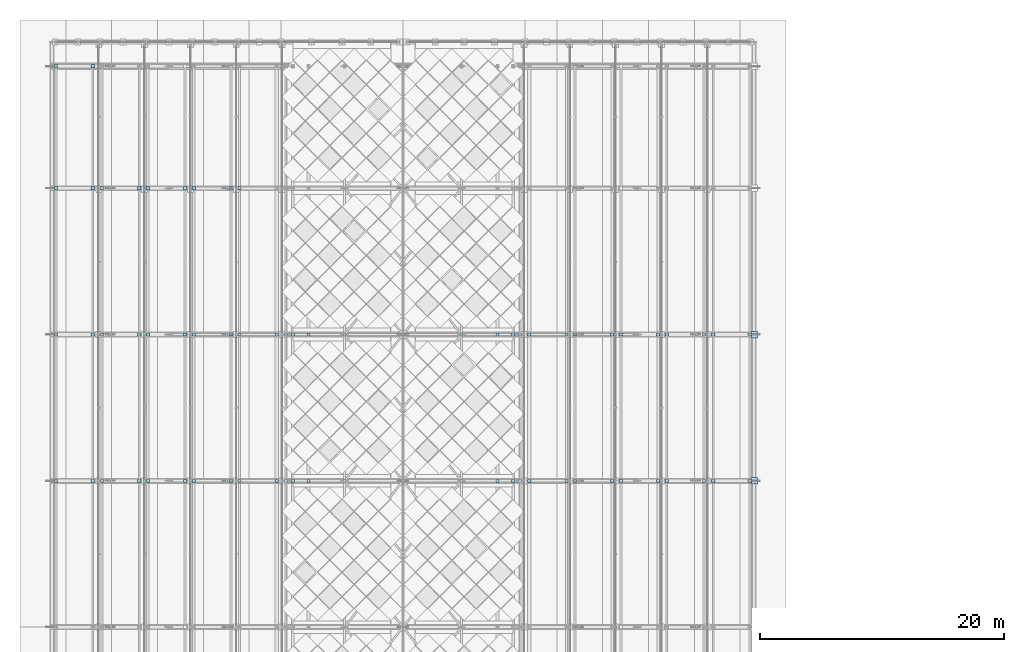
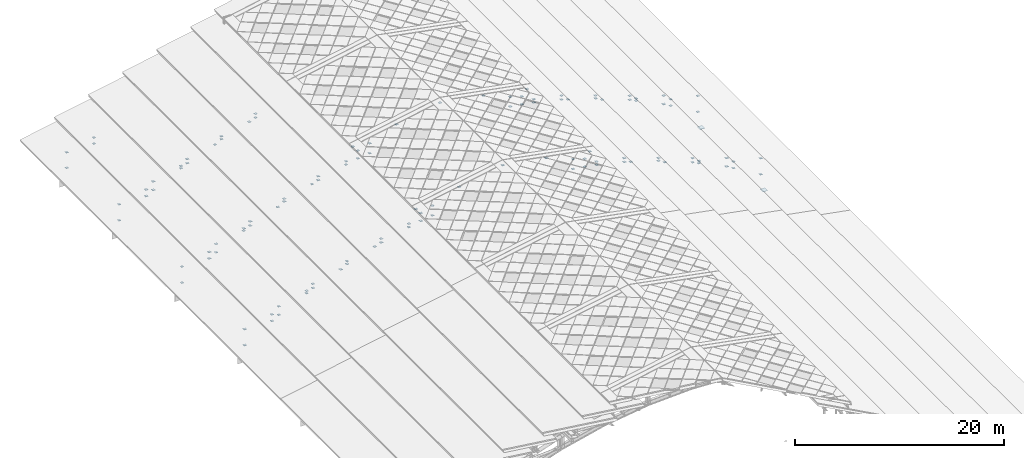
# One storey, part 105 of 117: 120 plates.
"""IFC4 building model written with IfcOpenShell, lengths in metres."""

import ifcopenshell
import ifcopenshell.guid

model = None  # the IFC model being written
_history = None  # IfcOwnerHistory: only IFC2X3 demands one
_inside = {}  # id of a spatial element -> (the spatial element, [elements in it])
_under = {}  # id of a project, library or spatial element -> (it, [spatial elements below it])
_declared = {}  # id of a project -> (the project, [libraries it declares])
_typed = {}  # id of a type object -> (the type object, [elements of that type])
_made_of = {}  # id of a material, layer set ... -> (it, [elements and type objects made of it])


def new_model(schema):
    """Start an empty IFC model of exactly this schema.

    Asked for "IFC4X3", IfcOpenShell would pick the latest addendum, in which some entities
    have other attributes; the version numbers below select the first issue.
    IFC2X3 requires an IfcOwnerHistory on every rooted entity: one is made here for all.
    """
    global model, _history
    if schema == "IFC4X3":
        model = ifcopenshell.file(schema_version=(4, 3, 0, 0))
    else:
        model = ifcopenshell.file(schema=schema)
    _inside.clear()
    _under.clear()
    _declared.clear()
    _typed.clear()
    _made_of.clear()
    _history = None
    if model.schema == "IFC2X3":
        org = make("IfcOrganization", Name="unknown")
        user = make(
            "IfcPersonAndOrganization",
            ThePerson=make("IfcPerson", FamilyName="unknown"),
            TheOrganization=org,
        )
        app = make(
            "IfcApplication",
            ApplicationDeveloper=org,
            Version="unknown",
            ApplicationFullName="unknown",
            ApplicationIdentifier="unknown",
        )
        _history = make(
            "IfcOwnerHistory",
            OwningUser=user,
            OwningApplication=app,
            ChangeAction="ADDED",
            CreationDate=0,
        )
    return model


def make(cls, **values):
    """One entity of the class cls with the attributes given. An attribute that is None is left unset."""
    return model.create_entity(
        cls, **{name: value for name, value in values.items() if value is not None}
    )


def rooted(cls, **values):
    """An entity with a GlobalId (a new one), such as an element, a storey or a relation."""
    return make(cls, GlobalId=ifcopenshell.guid.new(), OwnerHistory=_history, **values)


def si_unit(unit_type, name, prefix=None):
    """IfcSIUnit, for example si_unit("LENGTHUNIT", "METRE", prefix="MILLI")."""
    return make("IfcSIUnit", UnitType=unit_type, Prefix=prefix, Name=name)


def assignment(units):
    """IfcUnitAssignment: the units of a project."""
    return None if units is None else make("IfcUnitAssignment", Units=units)


def point(xyz):
    """IfcCartesianPoint."""
    return None if xyz is None else make("IfcCartesianPoint", Coordinates=xyz)


def direction(xyz):
    """IfcDirection."""
    return None if xyz is None else make("IfcDirection", DirectionRatios=xyz)


def frame(location, z_axis=None, x_axis=None):
    """IfcAxis2Placement3D, a coordinate frame: its origin and axes. An axis left out is left unset."""
    return make(
        "IfcAxis2Placement3D",
        Location=point(location),
        Axis=direction(z_axis),
        RefDirection=direction(x_axis),
    )


def frame_2d(location, x_axis=None):
    """IfcAxis2Placement2D, a coordinate frame in the plane: its origin and x axis."""
    return make(
        "IfcAxis2Placement2D", Location=point(location), RefDirection=direction(x_axis)
    )


def origin():
    """The frame at (0, 0, 0) with its axes left unset."""
    return frame((0.0, 0.0, 0.0))


def origin_2d():
    """The frame at (0, 0) in the plane with its x axis left unset."""
    return frame_2d((0.0, 0.0))


def place(relative_to, where):
    """IfcLocalPlacement: puts the frame where relative to a parent placement (None: the world)."""
    return make(
        "IfcLocalPlacement", PlacementRelTo=relative_to, RelativePlacement=where
    )


def context(
    kind, dimensions, precision=None, world=None, true_north=None, identifier=None
):
    """IfcGeometricRepresentationContext, for example the 3D "Model" context."""
    return make(
        "IfcGeometricRepresentationContext",
        ContextIdentifier=identifier,
        ContextType=kind,
        CoordinateSpaceDimension=dimensions,
        Precision=precision,
        WorldCoordinateSystem=world,
        TrueNorth=true_north,
    )


def subcontext(parent, identifier, kind, view, scale=None):
    """IfcGeometricRepresentationSubContext, for example "Body" below "Model"."""
    return make(
        "IfcGeometricRepresentationSubContext",
        ContextIdentifier=identifier,
        ContextType=kind,
        ParentContext=parent,
        TargetScale=scale,
        TargetView=view,
    )


def project(units=None, contexts=None):
    """IfcProject with its units and contexts."""
    return rooted(
        "IfcProject",
        Name="project",
        RepresentationContexts=contexts,
        UnitsInContext=assignment(units),
    )


def spatial(cls, under=None, at=None, **own):
    """A site, building, storey or space (cls), placed at a placement, below another one or the project."""
    s = rooted(cls, ObjectPlacement=at, **own)
    if under is not None:
        _under.setdefault(under.id(), (under, []))[1].append(s)
    return s


def profile(cls, at=None, kind="AREA", **sizes):
    """A parametric profile (cls). Its sizes go by their IFC names, for example OverallWidth=200.0."""
    return make(cls, ProfileType=kind, Position=at, **sizes)


def rectangle(**sizes):
    """IfcRectangleProfileDef."""
    return profile("IfcRectangleProfileDef", **sizes)


def extrude(swept, where, along, depth):
    """IfcExtrudedAreaSolid: the profile swept, set in the frame where, extruded along a direction by depth."""
    return make(
        "IfcExtrudedAreaSolid",
        SweptArea=swept,
        Position=where,
        ExtrudedDirection=direction(along),
        Depth=depth,
    )


def shape(context_of_items, identifier, shape_type, items):
    """IfcShapeRepresentation: the items that make up one representation, for example the "Body"."""
    return make(
        "IfcShapeRepresentation",
        ContextOfItems=context_of_items,
        RepresentationIdentifier=identifier,
        RepresentationType=shape_type,
        Items=items,
    )


def material(Name=None, Category=None):
    """IfcMaterial."""
    return make("IfcMaterial", Name=Name, Category=Category)


def layer(
    of_material, thickness, ventilated=None, Name=None, Category=None, Priority=None
):
    """IfcMaterialLayer: one layer of a wall or slab, of a material (None: an air gap)."""
    return make(
        "IfcMaterialLayer",
        Material=of_material,
        LayerThickness=thickness,
        IsVentilated=ventilated,
        Name=Name,
        Category=Category,
        Priority=Priority,
    )


def layer_set(layers, Name=None):
    """IfcMaterialLayerSet."""
    return make("IfcMaterialLayerSet", MaterialLayers=layers, LayerSetName=Name)


def made_of(thing, what):
    """Note that an element or type object is made of a material, layer set ...; save() writes the relation."""
    if what is not None:
        _made_of.setdefault(what.id(), (what, []))[1].append(thing)
    return thing


def type_object(cls, material=None, **own):
    """A type object (cls), such as IfcWallType, which elements share."""
    return made_of(rooted(cls, **own), material)


def element(
    cls,
    number,
    at=None,
    inside=None,
    cuts=None,
    type_object=None,
    material=None,
    context=None,
    identifier="Body",
    shape_type=None,
    held_by="IfcProductDefinitionShape",
    body=None,
    shapes=None,
    **own,
):
    """One element of the class cls, such as IfcWall. Its Tag is "e" and its number.

    at: its placement. inside: the storey or other place that contains it. cuts: it is an
    opening in that element (IfcRelVoidsElement). A single representation is given by context,
    identifier, shape_type and body (its items); several are given by shapes. held_by: the class
    of the entity that holds the representations. save() writes the other relations.
    """
    e = rooted(cls, Tag="e%d" % number, ObjectPlacement=at, **own)
    if body is not None:
        shapes = [shape(context, identifier, shape_type, body)]
    if shapes is not None:
        e.Representation = make(held_by, Representations=shapes)
    if inside is not None:
        _inside.setdefault(inside.id(), (inside, []))[1].append(e)
    if cuts is not None:
        rooted(
            "IfcRelVoidsElement", RelatingBuildingElement=cuts, RelatedOpeningElement=e
        )
    if type_object is not None:
        _typed.setdefault(type_object.id(), (type_object, []))[1].append(e)
    return made_of(e, material)


def aggregate(whole, parts):
    """IfcRelAggregates: a whole, such as a stair, and the parts it consists of."""
    return rooted("IfcRelAggregates", RelatingObject=whole, RelatedObjects=parts)


def save(model, path):
    """Write the relations noted so far, then the file.

    IfcRelAggregates (storeys below a building ...), IfcRelContainedInSpatialStructure (elements
    in a storey), IfcRelDefinesByType, IfcRelAssociatesMaterial and IfcRelDeclares: one each for
    every whole, place, type object, material and project.
    """
    for whole, parts in _under.values():
        aggregate(whole, parts)
    for where, things in _inside.values():
        rooted(
            "IfcRelContainedInSpatialStructure",
            RelatedElements=things,
            RelatingStructure=where,
        )
    for kind, things in _typed.values():
        rooted("IfcRelDefinesByType", RelatedObjects=things, RelatingType=kind)
    for what, things in _made_of.values():
        rooted("IfcRelAssociatesMaterial", RelatedObjects=things, RelatingMaterial=what)
    for by, libraries in _declared.values():
        rooted("IfcRelDeclares", RelatingContext=by, RelatedDefinitions=libraries)
    model.write(path)


model = new_model("IFC4")

# Units and contexts
model_context = context("Model", 3, precision=1e-05, world=origin(), true_north=direction((0.0, 1.0)))
body_context = subcontext(model_context, "Body", "Model", "MODEL_VIEW")
ifc_project = project(units=[si_unit("LENGTHUNIT", "METRE"), si_unit("AREAUNIT", "SQUARE_METRE"), si_unit("VOLUMEUNIT", "CUBIC_METRE"), si_unit("PLANEANGLEUNIT", "RADIAN"), si_unit("MASSUNIT", "GRAM", prefix="KILO")], contexts=[model_context])

# Site, building, storey
site_placement = place(None, origin())
site = spatial("IfcSite", under=ifc_project, at=site_placement, CompositionType="ELEMENT")
building_placement = place(site_placement, origin())
building = spatial("IfcBuilding", under=site, at=building_placement, Name="Merenkruunu Market Hall", CompositionType="ELEMENT")
storey_placement = place(building_placement, frame((0.0, 0.0, 22.800048828125)))
storey = spatial("IfcBuildingStorey", under=building, at=storey_placement, Name="RF", CompositionType="ELEMENT", Elevation=22.800048828125)

# Plates
ifc_material = material(Name="Steel S355ML", Category="steel")
ifc_layer_1 = layer(ifc_material, 0.02392578125)
ifc_layer_set_1 = layer_set([ifc_layer_1], Name="Steel S355ML")
plate_type_1 = type_object("IfcPlateType", Name="Truss Gusset Or Cap Plate CP03", PredefinedType="USERDEFINED", material=ifc_layer_set_1)
for number, where, z_axis, x_axis, name in (
    (1, (57.60009765625, 75.60009765625, -11.7490234375), (0.0, 0.0, 1.0), (1.0, 0.0, 0.0), "PLT-ARCH-SHOE-E-AT-6"),
    (2, (57.60009765625, 87.60009765625, -11.7490234375), (0.0, 0.0, 1.0), (1.0, 0.0, 0.0), "PLT-ARCH-SHOE-E-AT-7"),
):
    element("IfcPlate", number, at=place(storey_placement, frame(where, z_axis=z_axis, x_axis=x_axis)), inside=storey, type_object=plate_type_1, Name=name, ObjectType="GUSSET_PLATE", PredefinedType="USERDEFINED", context=body_context, shape_type="SweptSolid", body=[
        extrude(rectangle(XDim=0.5400390625, YDim=0.5400390625, at=origin_2d()), origin(), (0.0, 0.0, 1.0), 0.02392578125),
    ])
ifc_layer_2 = layer(ifc_material, 0.02001953125)
ifc_layer_set_2 = layer_set([ifc_layer_2], Name="Steel S355ML")
plate_type_2 = type_object("IfcPlateType", Name="Truss Gusset Or Cap Plate CP04", PredefinedType="USERDEFINED", material=ifc_layer_set_2)
for number, where, z_axis, x_axis, name in (
    (3, (19.199951171875, 75.60009765625, -0.50048828125), (0.0, 0.0, 1.0), (1.0, 0.0, 0.0), "PLT-AT-6-PCAP-04"),
    (4, (24.0, 75.60009765625, 0.40185546875), (0.0, 0.0, 1.0), (1.0, 0.0, 0.0), "PLT-AT-6-PCAP-05"),
    (5, (28.800048828125, 75.60009765625, 1.25439453125), (0.0, 0.0, 1.0), (1.0, 0.0, 0.0), "PLT-AT-6-PCAP-06"),
    (6, (33.60009765625, 75.60009765625, 0.40185546875), (0.0, 0.0, 1.0), (1.0, 0.0, 0.0), "PLT-AT-6-PCAP-07"),
    (7, (38.39990234375, 75.60009765625, -0.50048828125), (0.0, 0.0, 1.0), (1.0, 0.0, 0.0), "PLT-AT-6-PCAP-08"),
    (8, (0.35009765625, 75.60009765625, -9.769775390625), (0.0, 0.0, 1.0), (1.0, 0.0, 0.0), "PLT-AT-6-RBASE-W1-1"),
    (9, (0.35009765625, 75.60009765625, -7.900390625), (0.0, 0.0, 1.0), (1.0, 0.0, 0.0), "PLT-AT-6-RCAP-W1-1"),
    (10, (57.25, 75.60009765625, -9.769775390625), (0.0, 0.0, 1.0), (1.0, 0.0, 0.0), "PLT-AT-6-RBASE-E1-1"),
    (11, (57.25, 75.60009765625, -7.900390625), (0.0, 0.0, 1.0), (1.0, 0.0, 0.0), "PLT-AT-6-RCAP-E1-1"),
    (12, (3.35009765625, 75.60009765625, -7.998779296875), (0.0, 0.0, 1.0), (1.0, 0.0, 0.0), "PLT-AT-6-RBASE-W1-2"),
    (13, (3.35009765625, 75.60009765625, -7.241455078125), (0.0, 0.0, 1.0), (1.0, 0.0, 0.0), "PLT-AT-6-RCAP-W1-2"),
    (14, (54.25, 75.60009765625, -7.998779296875), (0.0, 0.0, 1.0), (1.0, 0.0, 0.0), "PLT-AT-6-RBASE-E1-2"),
    (15, (54.25, 75.60009765625, -7.241455078125), (0.0, 0.0, 1.0), (1.0, 0.0, 0.0), "PLT-AT-6-RCAP-E1-2"),
    (16, (4.110107421875, 75.60009765625, -7.5498046875), (0.0, 0.0, 1.0), (1.0, 0.0, 0.0), "PLT-AT-6-RBASE-W2-1"),
    (17, (4.110107421875, 75.60009765625, -6.56005859375), (0.0, 0.0, 1.0), (1.0, 0.0, 0.0), "PLT-AT-6-RCAP-W2-1"),
    (18, (53.489990234375, 75.60009765625, -7.5498046875), (0.0, 0.0, 1.0), (1.0, 0.0, 0.0), "PLT-AT-6-RBASE-E2-1"),
    (19, (53.489990234375, 75.60009765625, -6.56005859375), (0.0, 0.0, 1.0), (1.0, 0.0, 0.0), "PLT-AT-6-RCAP-E2-1"),
    (20, (7.169921875, 75.60009765625, -6.09326171875), (0.0, 0.0, 1.0), (1.0, 0.0, 0.0), "PLT-AT-6-RBASE-W2-2"),
    (21, (7.169921875, 75.60009765625, -5.827392578125), (0.0, 0.0, 1.0), (1.0, 0.0, 0.0), "PLT-AT-6-RCAP-W2-2"),
    (22, (50.429931640625, 75.60009765625, -6.09326171875), (0.0, 0.0, 1.0), (1.0, 0.0, 0.0), "PLT-AT-6-RBASE-E2-2"),
    (23, (50.429931640625, 75.60009765625, -5.827392578125), (0.0, 0.0, 1.0), (1.0, 0.0, 0.0), "PLT-AT-6-RCAP-E2-2"),
    (24, (7.8701171875, 75.60009765625, -5.73876953125), (0.0, 0.0, 1.0), (1.0, 0.0, 0.0), "PLT-AT-6-RBASE-W3-1"),
    (25, (7.8701171875, 75.60009765625, -5.26025390625), (0.0, 0.0, 1.0), (1.0, 0.0, 0.0), "PLT-AT-6-RCAP-W3-1"),
    (26, (49.72998046875, 75.60009765625, -5.73876953125), (0.0, 0.0, 1.0), (1.0, 0.0, 0.0), "PLT-AT-6-RBASE-E3-1"),
    (27, (49.72998046875, 75.60009765625, -5.26025390625), (0.0, 0.0, 1.0), (1.0, 0.0, 0.0), "PLT-AT-6-RCAP-E3-1"),
    (28, (10.929931640625, 75.60009765625, -4.65234375), (0.0, 0.0, 1.0), (1.0, 0.0, 0.0), "PLT-AT-6-RCAP-W3-2"),
    (29, (46.669921875, 75.60009765625, -4.65234375), (0.0, 0.0, 1.0), (1.0, 0.0, 0.0), "PLT-AT-6-RCAP-E3-2"),
    (30, (11.6298828125, 75.60009765625, -4.25390625), (0.0, 0.0, 1.0), (1.0, 0.0, 0.0), "PLT-AT-6-RBASE-W4-1"),
    (31, (11.6298828125, 75.60009765625, -3.920166015625), (0.0, 0.0, 1.0), (1.0, 0.0, 0.0), "PLT-AT-6-RCAP-W4-1"),
    (32, (45.969970703125, 75.60009765625, -4.25390625), (0.0, 0.0, 1.0), (1.0, 0.0, 0.0), "PLT-AT-6-RBASE-E4-1"),
    (33, (45.969970703125, 75.60009765625, -3.920166015625), (0.0, 0.0, 1.0), (1.0, 0.0, 0.0), "PLT-AT-6-RCAP-E4-1"),
    (34, (14.68994140625, 75.60009765625, -3.3046875), (0.0, 0.0, 1.0), (1.0, 0.0, 0.0), "PLT-AT-6-RCAP-W4-2"),
    (35, (42.909912109375, 75.60009765625, -3.3046875), (0.0, 0.0, 1.0), (1.0, 0.0, 0.0), "PLT-AT-6-RCAP-E4-2"),
    (36, (15.389892578125, 75.60009765625, -3.07177734375), (0.0, 0.0, 1.0), (1.0, 0.0, 0.0), "PLT-AT-6-RBASE-W5-1"),
    (37, (15.389892578125, 75.60009765625, -2.620361328125), (0.0, 0.0, 1.0), (1.0, 0.0, 0.0), "PLT-AT-6-RCAP-W5-1"),
    (38, (42.2099609375, 75.60009765625, -3.07177734375), (0.0, 0.0, 1.0), (1.0, 0.0, 0.0), "PLT-AT-6-RBASE-E5-1"),
    (39, (42.2099609375, 75.60009765625, -2.620361328125), (0.0, 0.0, 1.0), (1.0, 0.0, 0.0), "PLT-AT-6-RCAP-E5-1"),
    (40, (18.449951171875, 75.60009765625, -2.344970703125), (0.0, 0.0, 1.0), (1.0, 0.0, 0.0), "PLT-AT-6-RBASE-W5-2"),
    (41, (18.449951171875, 75.60009765625, -1.954345703125), (0.0, 0.0, 1.0), (1.0, 0.0, 0.0), "PLT-AT-6-RCAP-W5-2"),
    (42, (39.14990234375, 75.60009765625, -2.344970703125), (0.0, 0.0, 1.0), (1.0, 0.0, 0.0), "PLT-AT-6-RBASE-E5-2"),
    (43, (39.14990234375, 75.60009765625, -1.954345703125), (0.0, 0.0, 1.0), (1.0, 0.0, 0.0), "PLT-AT-6-RCAP-E5-2"),
    (44, (19.760009765625, 75.60009765625, -2.0888671875), (0.0, 0.0, 1.0), (1.0, 0.0, 0.0), "PLT-AT-6-RBASE-W6-1"),
    (45, (19.760009765625, 75.60009765625, -1.1669921875), (0.0, 0.0, 1.0), (1.0, 0.0, 0.0), "PLT-AT-6-RCAP-W6-1"),
    (46, (37.840087890625, 75.60009765625, -2.0888671875), (0.0, 0.0, 1.0), (1.0, 0.0, 0.0), "PLT-AT-6-RBASE-E6-1"),
    (47, (37.840087890625, 75.60009765625, -1.1669921875), (0.0, 0.0, 1.0), (1.0, 0.0, 0.0), "PLT-AT-6-RCAP-E6-1"),
    (48, (21.050048828125, 75.60009765625, -1.907958984375), (0.0, 0.0, 1.0), (1.0, 0.0, 0.0), "PLT-AT-6-RBASE-W6-2"),
    (49, (21.050048828125, 75.60009765625, -0.763427734375), (0.0, 0.0, 1.0), (1.0, 0.0, 0.0), "PLT-AT-6-RCAP-W6-2"),
    (50, (36.550048828125, 75.60009765625, -1.907958984375), (0.0, 0.0, 1.0), (1.0, 0.0, 0.0), "PLT-AT-6-RBASE-E6-2"),
    (51, (36.550048828125, 75.60009765625, -0.763427734375), (0.0, 0.0, 1.0), (1.0, 0.0, 0.0), "PLT-AT-6-RCAP-E6-2"),
    (52, (19.199951171875, 87.60009765625, -0.50048828125), (0.0, 0.0, 1.0), (1.0, 0.0, 0.0), "PLT-AT-7-PCAP-04"),
    (53, (24.0, 87.60009765625, 0.40185546875), (0.0, 0.0, 1.0), (1.0, 0.0, 0.0), "PLT-AT-7-PCAP-05"),
    (54, (28.800048828125, 87.60009765625, 1.25439453125), (0.0, 0.0, 1.0), (1.0, 0.0, 0.0), "PLT-AT-7-PCAP-06"),
    (55, (33.60009765625, 87.60009765625, 0.40185546875), (0.0, 0.0, 1.0), (1.0, 0.0, 0.0), "PLT-AT-7-PCAP-07"),
    (56, (38.39990234375, 87.60009765625, -0.50048828125), (0.0, 0.0, 1.0), (1.0, 0.0, 0.0), "PLT-AT-7-PCAP-08"),
    (57, (0.35009765625, 87.60009765625, -9.769775390625), (0.0, 0.0, 1.0), (1.0, 0.0, 0.0), "PLT-AT-7-RBASE-W1-1"),
    (58, (0.35009765625, 87.60009765625, -7.900390625), (0.0, 0.0, 1.0), (1.0, 0.0, 0.0), "PLT-AT-7-RCAP-W1-1"),
    (59, (57.25, 87.60009765625, -9.769775390625), (0.0, 0.0, 1.0), (1.0, 0.0, 0.0), "PLT-AT-7-RBASE-E1-1"),
    (60, (57.25, 87.60009765625, -7.900390625), (0.0, 0.0, 1.0), (1.0, 0.0, 0.0), "PLT-AT-7-RCAP-E1-1"),
    (61, (3.35009765625, 87.60009765625, -7.998779296875), (0.0, 0.0, 1.0), (1.0, 0.0, 0.0), "PLT-AT-7-RBASE-W1-2"),
    (62, (3.35009765625, 87.60009765625, -7.241455078125), (0.0, 0.0, 1.0), (1.0, 0.0, 0.0), "PLT-AT-7-RCAP-W1-2"),
    (63, (54.25, 87.60009765625, -7.998779296875), (0.0, 0.0, 1.0), (1.0, 0.0, 0.0), "PLT-AT-7-RBASE-E1-2"),
    (64, (54.25, 87.60009765625, -7.241455078125), (0.0, 0.0, 1.0), (1.0, 0.0, 0.0), "PLT-AT-7-RCAP-E1-2"),
    (65, (4.110107421875, 87.60009765625, -7.5498046875), (0.0, 0.0, 1.0), (1.0, 0.0, 0.0), "PLT-AT-7-RBASE-W2-1"),
    (66, (4.110107421875, 87.60009765625, -6.56005859375), (0.0, 0.0, 1.0), (1.0, 0.0, 0.0), "PLT-AT-7-RCAP-W2-1"),
    (67, (53.489990234375, 87.60009765625, -7.5498046875), (0.0, 0.0, 1.0), (1.0, 0.0, 0.0), "PLT-AT-7-RBASE-E2-1"),
    (68, (53.489990234375, 87.60009765625, -6.56005859375), (0.0, 0.0, 1.0), (1.0, 0.0, 0.0), "PLT-AT-7-RCAP-E2-1"),
    (69, (7.169921875, 87.60009765625, -6.09326171875), (0.0, 0.0, 1.0), (1.0, 0.0, 0.0), "PLT-AT-7-RBASE-W2-2"),
    (70, (7.169921875, 87.60009765625, -5.827392578125), (0.0, 0.0, 1.0), (1.0, 0.0, 0.0), "PLT-AT-7-RCAP-W2-2"),
    (71, (50.429931640625, 87.60009765625, -6.09326171875), (0.0, 0.0, 1.0), (1.0, 0.0, 0.0), "PLT-AT-7-RBASE-E2-2"),
    (72, (50.429931640625, 87.60009765625, -5.827392578125), (0.0, 0.0, 1.0), (1.0, 0.0, 0.0), "PLT-AT-7-RCAP-E2-2"),
    (73, (7.8701171875, 87.60009765625, -5.73876953125), (0.0, 0.0, 1.0), (1.0, 0.0, 0.0), "PLT-AT-7-RBASE-W3-1"),
    (74, (7.8701171875, 87.60009765625, -5.26025390625), (0.0, 0.0, 1.0), (1.0, 0.0, 0.0), "PLT-AT-7-RCAP-W3-1"),
    (75, (49.72998046875, 87.60009765625, -5.73876953125), (0.0, 0.0, 1.0), (1.0, 0.0, 0.0), "PLT-AT-7-RBASE-E3-1"),
    (76, (49.72998046875, 87.60009765625, -5.26025390625), (0.0, 0.0, 1.0), (1.0, 0.0, 0.0), "PLT-AT-7-RCAP-E3-1"),
    (77, (10.929931640625, 87.60009765625, -4.65234375), (0.0, 0.0, 1.0), (1.0, 0.0, 0.0), "PLT-AT-7-RCAP-W3-2"),
    (78, (46.669921875, 87.60009765625, -4.65234375), (0.0, 0.0, 1.0), (1.0, 0.0, 0.0), "PLT-AT-7-RCAP-E3-2"),
    (79, (11.6298828125, 87.60009765625, -4.25390625), (0.0, 0.0, 1.0), (1.0, 0.0, 0.0), "PLT-AT-7-RBASE-W4-1"),
    (80, (11.6298828125, 87.60009765625, -3.920166015625), (0.0, 0.0, 1.0), (1.0, 0.0, 0.0), "PLT-AT-7-RCAP-W4-1"),
    (81, (45.969970703125, 87.60009765625, -4.25390625), (0.0, 0.0, 1.0), (1.0, 0.0, 0.0), "PLT-AT-7-RBASE-E4-1"),
    (82, (45.969970703125, 87.60009765625, -3.920166015625), (0.0, 0.0, 1.0), (1.0, 0.0, 0.0), "PLT-AT-7-RCAP-E4-1"),
    (83, (14.68994140625, 87.60009765625, -3.3046875), (0.0, 0.0, 1.0), (1.0, 0.0, 0.0), "PLT-AT-7-RCAP-W4-2"),
    (84, (42.909912109375, 87.60009765625, -3.3046875), (0.0, 0.0, 1.0), (1.0, 0.0, 0.0), "PLT-AT-7-RCAP-E4-2"),
    (85, (15.389892578125, 87.60009765625, -3.07177734375), (0.0, 0.0, 1.0), (1.0, 0.0, 0.0), "PLT-AT-7-RBASE-W5-1"),
    (86, (15.389892578125, 87.60009765625, -2.620361328125), (0.0, 0.0, 1.0), (1.0, 0.0, 0.0), "PLT-AT-7-RCAP-W5-1"),
    (87, (42.2099609375, 87.60009765625, -3.07177734375), (0.0, 0.0, 1.0), (1.0, 0.0, 0.0), "PLT-AT-7-RBASE-E5-1"),
    (88, (42.2099609375, 87.60009765625, -2.620361328125), (0.0, 0.0, 1.0), (1.0, 0.0, 0.0), "PLT-AT-7-RCAP-E5-1"),
    (89, (18.449951171875, 87.60009765625, -2.344970703125), (0.0, 0.0, 1.0), (1.0, 0.0, 0.0), "PLT-AT-7-RBASE-W5-2"),
    (90, (18.449951171875, 87.60009765625, -1.954345703125), (0.0, 0.0, 1.0), (1.0, 0.0, 0.0), "PLT-AT-7-RCAP-W5-2"),
    (91, (39.14990234375, 87.60009765625, -2.344970703125), (0.0, 0.0, 1.0), (1.0, 0.0, 0.0), "PLT-AT-7-RBASE-E5-2"),
    (92, (39.14990234375, 87.60009765625, -1.954345703125), (0.0, 0.0, 1.0), (1.0, 0.0, 0.0), "PLT-AT-7-RCAP-E5-2"),
    (93, (19.760009765625, 87.60009765625, -2.0888671875), (0.0, 0.0, 1.0), (1.0, 0.0, 0.0), "PLT-AT-7-RBASE-W6-1"),
    (94, (19.760009765625, 87.60009765625, -1.1669921875), (0.0, 0.0, 1.0), (1.0, 0.0, 0.0), "PLT-AT-7-RCAP-W6-1"),
    (95, (37.840087890625, 87.60009765625, -2.0888671875), (0.0, 0.0, 1.0), (1.0, 0.0, 0.0), "PLT-AT-7-RBASE-E6-1"),
    (96, (37.840087890625, 87.60009765625, -1.1669921875), (0.0, 0.0, 1.0), (1.0, 0.0, 0.0), "PLT-AT-7-RCAP-E6-1"),
    (97, (21.050048828125, 87.60009765625, -1.907958984375), (0.0, 0.0, 1.0), (1.0, 0.0, 0.0), "PLT-AT-7-RBASE-W6-2"),
    (98, (21.050048828125, 87.60009765625, -0.763427734375), (0.0, 0.0, 1.0), (1.0, 0.0, 0.0), "PLT-AT-7-RCAP-W6-2"),
    (99, (36.550048828125, 87.60009765625, -1.907958984375), (0.0, 0.0, 1.0), (1.0, 0.0, 0.0), "PLT-AT-7-RBASE-E6-2"),
    (100, (36.550048828125, 87.60009765625, -0.763427734375), (0.0, 0.0, 1.0), (1.0, 0.0, 0.0), "PLT-AT-7-RCAP-E6-2"),
    (101, (0.35009765625, 99.60009765625, -9.769775390625), (0.0, 0.0, 1.0), (1.0, 0.0, 0.0), "PLT-AT-8-RBASE-W1-1"),
    (102, (0.35009765625, 99.60009765625, -7.900390625), (0.0, 0.0, 1.0), (1.0, 0.0, 0.0), "PLT-AT-8-RCAP-W1-1"),
    (103, (3.35009765625, 99.60009765625, -7.998779296875), (0.0, 0.0, 1.0), (1.0, 0.0, 0.0), "PLT-AT-8-RBASE-W1-2"),
    (104, (3.35009765625, 99.60009765625, -7.241455078125), (0.0, 0.0, 1.0), (1.0, 0.0, 0.0), "PLT-AT-8-RCAP-W1-2"),
    (105, (4.110107421875, 99.60009765625, -7.5498046875), (0.0, 0.0, 1.0), (1.0, 0.0, 0.0), "PLT-AT-8-RBASE-W2-1"),
    (106, (4.110107421875, 99.60009765625, -6.56005859375), (0.0, 0.0, 1.0), (1.0, 0.0, 0.0), "PLT-AT-8-RCAP-W2-1"),
    (107, (7.169921875, 99.60009765625, -6.09326171875), (0.0, 0.0, 1.0), (1.0, 0.0, 0.0), "PLT-AT-8-RBASE-W2-2"),
    (108, (7.169921875, 99.60009765625, -5.827392578125), (0.0, 0.0, 1.0), (1.0, 0.0, 0.0), "PLT-AT-8-RCAP-W2-2"),
    (109, (7.8701171875, 99.60009765625, -5.73876953125), (0.0, 0.0, 1.0), (1.0, 0.0, 0.0), "PLT-AT-8-RBASE-W3-1"),
    (110, (7.8701171875, 99.60009765625, -5.26025390625), (0.0, 0.0, 1.0), (1.0, 0.0, 0.0), "PLT-AT-8-RCAP-W3-1"),
    (111, (10.929931640625, 99.60009765625, -4.65234375), (0.0, 0.0, 1.0), (1.0, 0.0, 0.0), "PLT-AT-8-RCAP-W3-2"),
    (112, (11.6298828125, 99.60009765625, -4.25390625), (0.0, 0.0, 1.0), (1.0, 0.0, 0.0), "PLT-AT-8-RBASE-W4-1"),
    (113, (11.6298828125, 99.60009765625, -3.920166015625), (0.0, 0.0, 1.0), (1.0, 0.0, 0.0), "PLT-AT-8-RCAP-W4-1"),
    (114, (14.68994140625, 99.60009765625, -3.3046875), (0.0, 0.0, 1.0), (1.0, 0.0, 0.0), "PLT-AT-8-RCAP-W4-2"),
    (115, (15.389892578125, 99.60009765625, -3.07177734375), (0.0, 0.0, 1.0), (1.0, 0.0, 0.0), "PLT-AT-8-RBASE-W5-1"),
    (116, (15.389892578125, 99.60009765625, -2.620361328125), (0.0, 0.0, 1.0), (1.0, 0.0, 0.0), "PLT-AT-8-RCAP-W5-1"),
    (117, (0.35009765625, 109.60009765625, -9.718994140625), (0.0, 0.0, 1.0), (1.0, 0.0, 0.0), "PLT-AT-G-RBASE-W1-1"),
    (118, (0.35009765625, 109.60009765625, -7.900390625), (0.0, 0.0, 1.0), (1.0, 0.0, 0.0), "PLT-AT-G-RCAP-W1-1"),
    (119, (3.35009765625, 109.60009765625, -7.947998046875), (0.0, 0.0, 1.0), (1.0, 0.0, 0.0), "PLT-AT-G-RBASE-W1-2"),
    (120, (3.35009765625, 109.60009765625, -7.241455078125), (0.0, 0.0, 1.0), (1.0, 0.0, 0.0), "PLT-AT-G-RCAP-W1-2"),
):
    element("IfcPlate", number, at=place(storey_placement, frame(where, z_axis=z_axis, x_axis=x_axis)), inside=storey, type_object=plate_type_2, Name=name, ObjectType="GUSSET_PLATE", PredefinedType="USERDEFINED", context=body_context, shape_type="SweptSolid", body=[
        extrude(rectangle(XDim=0.260009765625, YDim=0.260009765625, at=origin_2d()), origin(), (0.0, 0.0, 1.0), 0.02001953125),
    ])

save(model, "model.ifc")
